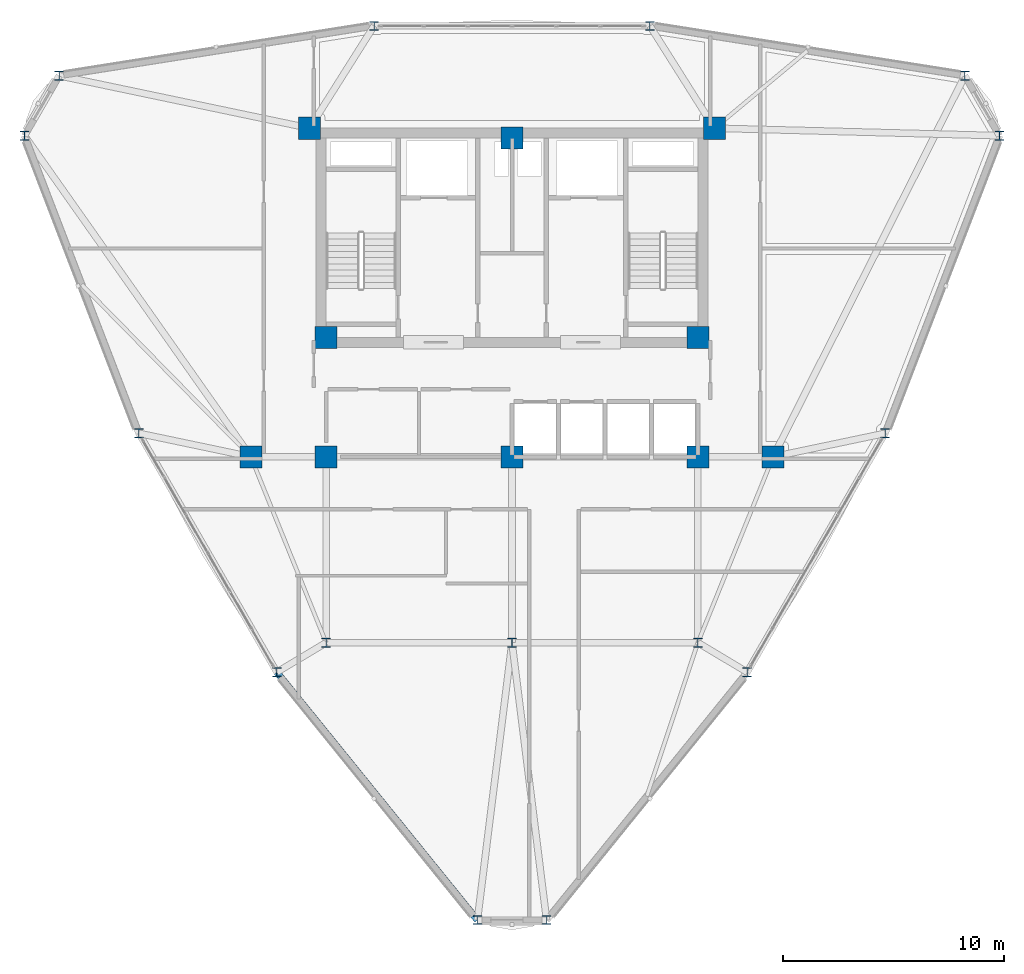
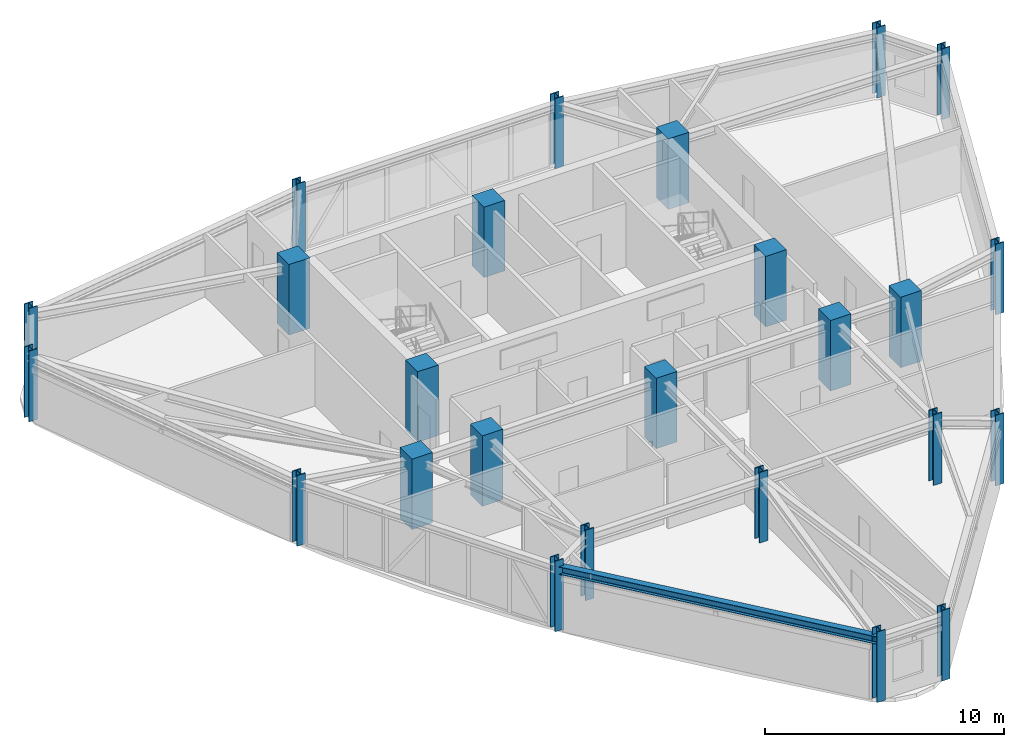
# One storey, part 1 of 14: 25 columns, 1 beam.
"""IFC4 building model written with IfcOpenShell, lengths in metres."""

from ifc_helpers import new_model, si_unit, derived_unit, direction, frame, origin, origin_2d, place, context, subcontext, project, spatial, rectangle, i_section, extrude, source, transform, mapped, material, material_profile, profile_set, type_object, element, save


model = new_model("IFC4")

# Units and contexts
model_context = context("Model", 3, precision=1e-05, world=origin(), true_north=direction((0.0, 1.0)))
body_context = subcontext(model_context, "Body", "Model", "MODEL_VIEW")
ifc_project = project(units=[si_unit("LENGTHUNIT", "METRE"), si_unit("AREAUNIT", "SQUARE_METRE"), si_unit("VOLUMEUNIT", "CUBIC_METRE"), si_unit("PLANEANGLEUNIT", "RADIAN"), si_unit("MASSUNIT", "GRAM", prefix="KILO"), derived_unit("THERMALTRANSMITTANCEUNIT", [(si_unit("POWERUNIT", "WATT"), 1), (si_unit("LENGTHUNIT", "METRE"), -2), (si_unit("THERMODYNAMICTEMPERATUREUNIT", "KELVIN"), -1)])], contexts=[model_context])

# Site, building, storey
site_placement = place(None, origin())
site = spatial("IfcSite", under=ifc_project, at=site_placement, CompositionType="ELEMENT")
building_placement = place(site_placement, origin())
building = spatial("IfcBuilding", under=site, at=building_placement, Name="Korsvarv Bourse and Concert Hall", CompositionType="ELEMENT")
storey_placement = place(building_placement, frame((0.0, 0.0, 197.39990234375)))
storey = spatial("IfcBuildingStorey", under=building, at=storey_placement, Name="L51", CompositionType="ELEMENT", Elevation=197.39990234375)

# Columns
ifc_material_1 = material(Name="Steel S355", Category="steel")
ifc_material_profile_1 = material_profile(ifc_material_1, i_section(OverallWidth=0.412109375, OverallDepth=0.43505859375, WebThickness=0.032958984375, FlangeThickness=0.052978515625, FilletRadius=0.014892578125, at=origin_2d()), Name="HD 400x463")
ifc_profile_set_1 = profile_set([ifc_material_profile_1], Name="Steel S355")
column_type_1 = type_object("IfcColumnType", Name="COL-HD463", PredefinedType="COLUMN", material=ifc_profile_set_1)
shared_shape_1 = source(origin(), body_context, "Body", "SweptSolid", [
    extrude(i_section(OverallWidth=0.412109375, OverallDepth=0.43505859375, WebThickness=0.032958984375, FlangeThickness=0.052978515625, FilletRadius=0.014892578125, at=origin_2d()), origin(), (0.0, 0.0, 1.0), 3.60009765625),
])
for number, where, z_axis, x_axis, name in (
    (1, (27.60009765625, 24.0, 0.0), (0.0, 0.0, 1.0), (1.0, 0.0, 0.0), "L51 column C-09"),
    (2, (44.39990234375, 24.0, 0.0), (0.0, 0.0, 1.0), (1.0, 0.0, 0.0), "L51 column C-09"),
    (3, (36.0, 24.0, 0.0), (0.0, 0.0, 1.0), (1.0, 0.0, 0.0), "L51 column C-09"),
):
    element("IfcColumn", number, at=place(storey_placement, frame(where, z_axis=z_axis, x_axis=x_axis)), inside=storey, type_object=column_type_1, Name=name, PredefinedType="COLUMN", context=body_context, shape_type="MappedRepresentation", body=[
        mapped(shared_shape_1, transform((0.0, 0.0, 0.0), scale=1.0)),
    ])
ifc_material_2 = material(Name="Concrete C55/67", Category="concrete")
ifc_material_profile_2 = material_profile(ifc_material_2, rectangle(XDim=1.0, YDim=1.0, at=origin_2d()), Name="RC 1000x1000")
ifc_profile_set_2 = profile_set([ifc_material_profile_2], Name="Concrete C55/67")
column_type_2 = type_object("IfcColumnType", Name="COL-RC1000", PredefinedType="COLUMN", material=ifc_profile_set_2)
shared_shape_2 = source(origin(), body_context, "Body", "SweptSolid", [
    extrude(rectangle(XDim=1.0, YDim=1.0, at=origin_2d()), origin(), (0.0, 0.0, 1.0), 3.60009765625),
])
for number, where, z_axis, x_axis, name in (
    (4, (26.85009765625, 47.25, 0.0), (0.0, 0.0, 1.0), (1.0, 0.0, 0.0), "L51 column C-03"),
    (5, (45.14990234375, 47.25, 0.0), (0.0, 0.0, 1.0), (1.0, 0.0, 0.0), "L51 column C-03"),
    (6, (27.60009765625, 37.800048828125, 0.0), (0.0, 0.0, 1.0), (1.0, 0.0, 0.0), "L51 column C-03"),
    (7, (44.39990234375, 37.800048828125, 0.0), (0.0, 0.0, 1.0), (1.0, 0.0, 0.0), "L51 column C-03"),
    (8, (27.60009765625, 32.39990234375, 0.0), (0.0, 0.0, 1.0), (1.0, 0.0, 0.0), "L51 column C-03"),
    (9, (44.39990234375, 32.39990234375, 0.0), (0.0, 0.0, 1.0), (1.0, 0.0, 0.0), "L51 column C-03"),
    (10, (36.0, 46.800048828125, 0.0), (0.0, 0.0, 1.0), (1.0, 0.0, 0.0), "L51 column C-03"),
    (11, (36.0, 32.39990234375, 0.0), (0.0, 0.0, 1.0), (1.0, 0.0, 0.0), "L51 column C-03"),
    (12, (24.199951171875, 32.39990234375, 0.0), (0.0, 0.0, 1.0), (1.0, 0.0, 0.0), "L51 column C-03"),
    (13, (47.800048828125, 32.39990234375, 0.0), (0.0, 0.0, 1.0), (1.0, 0.0, 0.0), "L51 column C-03"),
):
    element("IfcColumn", number, at=place(storey_placement, frame(where, z_axis=z_axis, x_axis=x_axis)), inside=storey, type_object=column_type_2, Name=name, PredefinedType="COLUMN", context=body_context, shape_type="MappedRepresentation", body=[
        mapped(shared_shape_2, transform((0.0, 0.0, 0.0), scale=1.0)),
    ])
ifc_material_profile_3 = material_profile(ifc_material_1, i_section(OverallWidth=0.406005859375, OverallDepth=0.416015625, WebThickness=0.027099609375, FlangeThickness=0.0439453125, FilletRadius=0.014892578125, at=origin_2d()), Name="HD 400x382")
ifc_profile_set_3 = profile_set([ifc_material_profile_3], Name="Steel S355")
column_type_3 = type_object("IfcColumnType", Name="COL-HD382", PredefinedType="COLUMN", material=ifc_profile_set_3)
shared_shape_3 = source(origin(), body_context, "Body", "SweptSolid", [
    extrude(i_section(OverallWidth=0.406005859375, OverallDepth=0.416015625, WebThickness=0.027099609375, FlangeThickness=0.0439453125, FilletRadius=0.014892578125, at=origin_2d()), origin(), (0.0, 0.0, 1.0), 3.60009765625),
])
for number, where, z_axis, x_axis, name in (
    (14, (58.0302734375, 46.912353515625, 0.0), (0.0, 0.0, 1.0), (1.0, 0.0, 0.0), "L51 column C-10"),
    (15, (56.465576171875, 49.62255859375, 0.0), (0.0, 0.0, 1.0), (1.0, 0.0, 0.0), "L51 column C-10"),
    (16, (42.233154296875, 51.871826171875, 0.0), (0.0, 0.0, 1.0), (1.0, 0.0, 0.0), "L51 column C-10"),
    (17, (29.766845703125, 51.871826171875, 0.0), (0.0, 0.0, 1.0), (1.0, 0.0, 0.0), "L51 column C-10"),
    (18, (15.534423828125, 49.62255859375, 0.0), (0.0, 0.0, 1.0), (1.0, 0.0, 0.0), "L51 column C-10"),
    (19, (13.9697265625, 46.912353515625, 0.0), (0.0, 0.0, 1.0), (1.0, 0.0, 0.0), "L51 column C-10"),
    (20, (19.13818359375, 33.462158203125, 0.0), (0.0, 0.0, 1.0), (1.0, 0.0, 0.0), "L51 column C-10"),
    (21, (25.37109375, 22.666015625, 0.0), (0.0, 0.0, 1.0), (1.0, 0.0, 0.0), "L51 column C-10"),
    (22, (34.435302734375, 11.465087890625, 0.0), (0.0, 0.0, 1.0), (1.0, 0.0, 0.0), "L51 column C-10"),
    (23, (37.564697265625, 11.465087890625, 0.0), (0.0, 0.0, 1.0), (1.0, 0.0, 0.0), "L51 column C-10"),
    (24, (46.62890625, 22.666015625, 0.0), (0.0, 0.0, 1.0), (1.0, 0.0, 0.0), "L51 column C-10"),
    (25, (52.86181640625, 33.462158203125, 0.0), (0.0, 0.0, 1.0), (1.0, 0.0, 0.0), "L51 column C-10"),
):
    element("IfcColumn", number, at=place(storey_placement, frame(where, z_axis=z_axis, x_axis=x_axis)), inside=storey, type_object=column_type_3, Name=name, PredefinedType="COLUMN", context=body_context, shape_type="MappedRepresentation", body=[
        mapped(shared_shape_3, transform((0.0, 0.0, 0.0), scale=1.0)),
    ])

# Beam
ifc_material_profile_4 = material_profile(ifc_material_1, i_section(OverallWidth=0.300048828125, OverallDepth=0.389892578125, WebThickness=0.010986328125, FlangeThickness=0.01904296875, FilletRadius=0.02099609375, at=origin_2d()), Name="HEA 400")
ifc_profile_set_4 = profile_set([ifc_material_profile_4], Name="Steel S355")
beam_type = type_object("IfcBeamType", Name="BM-HEA400", PredefinedType="BEAM", material=ifc_profile_set_4)
shared_shape_4 = source(origin(), body_context, "Body", "SweptSolid", [
    extrude(i_section(OverallWidth=0.300048828125, OverallDepth=0.389892578125, WebThickness=0.010986328125, FlangeThickness=0.01904296875, FilletRadius=0.02099609375, at=origin_2d()), origin(), (0.0, 0.0, 1.0), 14.408935546875),
])
beam_placement = place(storey_placement, frame((25.37109375, 22.666015625, 3.065185546875), z_axis=(0.629063691989, -0.777353762081, 0.0), x_axis=(0.777353762081, 0.629063691989, 0.0)))
element("IfcBeam", 26, at=beam_placement, inside=storey, type_object=beam_type, Name="L51 beam B-11", PredefinedType="BEAM", context=body_context, shape_type="MappedRepresentation", body=[
    mapped(shared_shape_4, transform((0.0, 0.0, 0.0), scale=1.0)),
])

save(model, "model.ifc")
